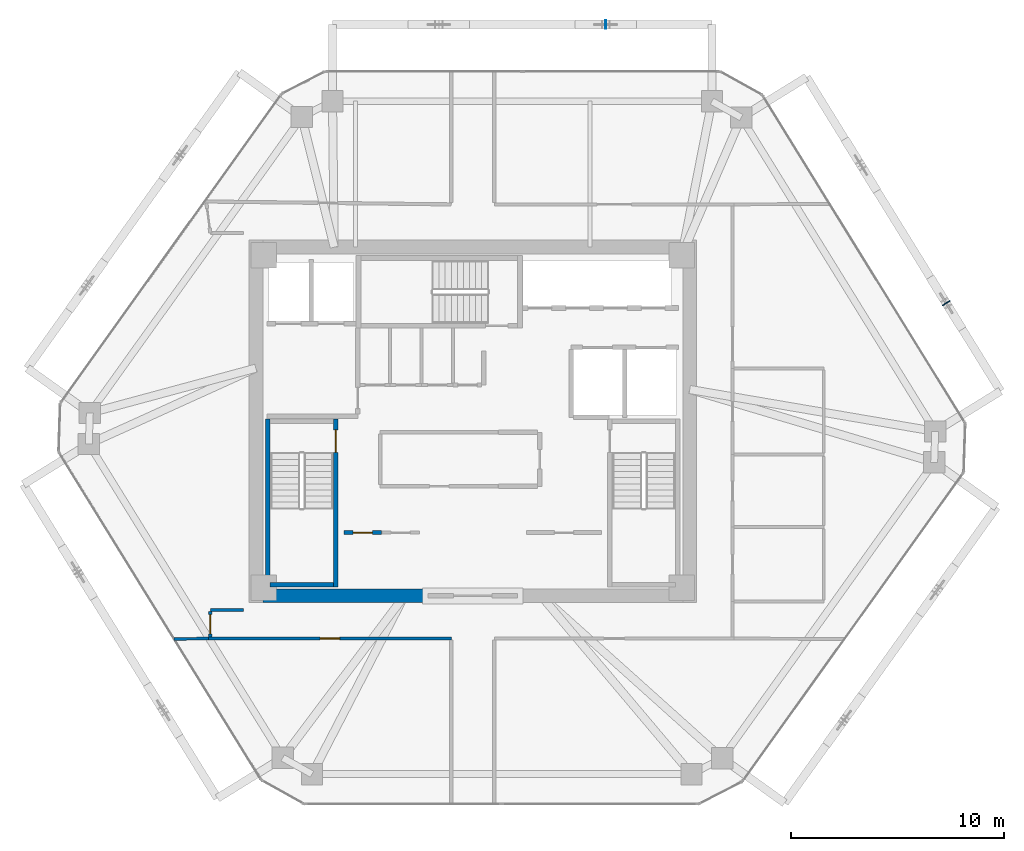
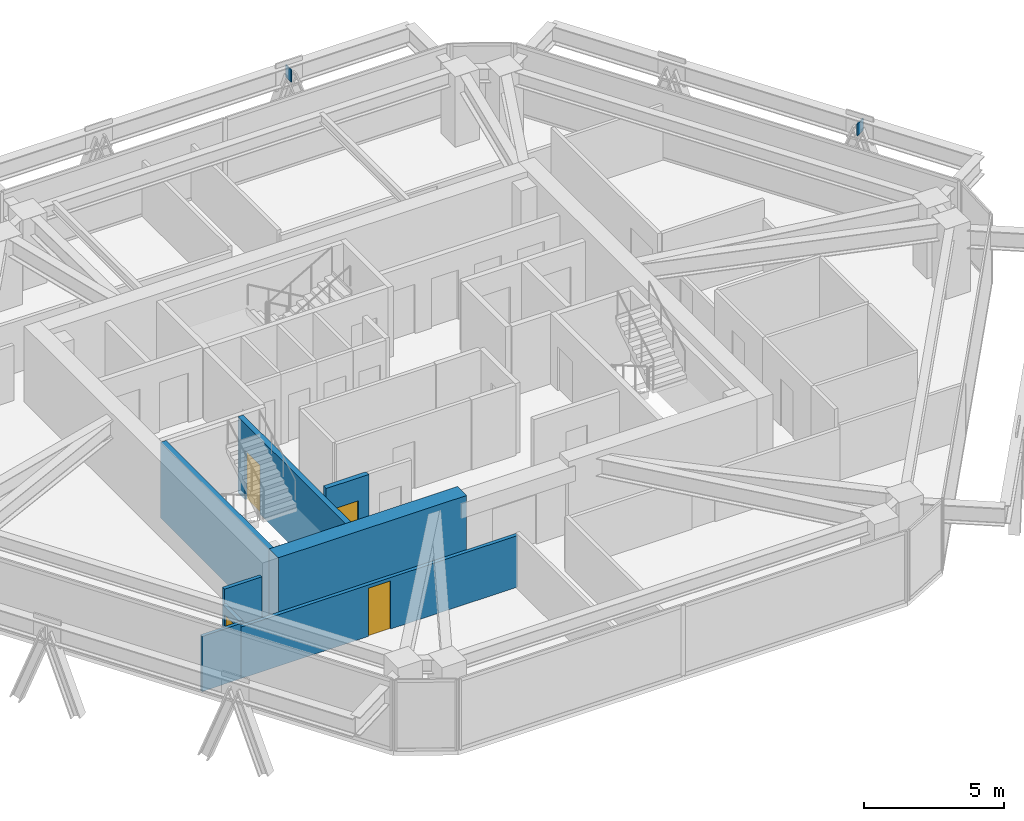
# One storey, part 9 of 13: 9 walls, 4 doors, 2 plates, 4 openings.
"""IFC4 building model written with IfcOpenShell, lengths in metres."""

import ifcopenshell
import ifcopenshell.guid

model = None  # the IFC model being written
_history = None  # IfcOwnerHistory: only IFC2X3 demands one
_inside = {}  # id of a spatial element -> (the spatial element, [elements in it])
_under = {}  # id of a project, library or spatial element -> (it, [spatial elements below it])
_declared = {}  # id of a project -> (the project, [libraries it declares])
_typed = {}  # id of a type object -> (the type object, [elements of that type])
_made_of = {}  # id of a material, layer set ... -> (it, [elements and type objects made of it])


def new_model(schema):
    """Start an empty IFC model of exactly this schema.

    Asked for "IFC4X3", IfcOpenShell would pick the latest addendum, in which some entities
    have other attributes; the version numbers below select the first issue.
    IFC2X3 requires an IfcOwnerHistory on every rooted entity: one is made here for all.
    """
    global model, _history
    if schema == "IFC4X3":
        model = ifcopenshell.file(schema_version=(4, 3, 0, 0))
    else:
        model = ifcopenshell.file(schema=schema)
    _inside.clear()
    _under.clear()
    _declared.clear()
    _typed.clear()
    _made_of.clear()
    _history = None
    if model.schema == "IFC2X3":
        org = make("IfcOrganization", Name="unknown")
        user = make(
            "IfcPersonAndOrganization",
            ThePerson=make("IfcPerson", FamilyName="unknown"),
            TheOrganization=org,
        )
        app = make(
            "IfcApplication",
            ApplicationDeveloper=org,
            Version="unknown",
            ApplicationFullName="unknown",
            ApplicationIdentifier="unknown",
        )
        _history = make(
            "IfcOwnerHistory",
            OwningUser=user,
            OwningApplication=app,
            ChangeAction="ADDED",
            CreationDate=0,
        )
    return model


def make(cls, **values):
    """One entity of the class cls with the attributes given. An attribute that is None is left unset."""
    return model.create_entity(
        cls, **{name: value for name, value in values.items() if value is not None}
    )


def rooted(cls, **values):
    """An entity with a GlobalId (a new one), such as an element, a storey or a relation."""
    return make(cls, GlobalId=ifcopenshell.guid.new(), OwnerHistory=_history, **values)


def si_unit(unit_type, name, prefix=None):
    """IfcSIUnit, for example si_unit("LENGTHUNIT", "METRE", prefix="MILLI")."""
    return make("IfcSIUnit", UnitType=unit_type, Prefix=prefix, Name=name)


def assignment(units):
    """IfcUnitAssignment: the units of a project."""
    return None if units is None else make("IfcUnitAssignment", Units=units)


def point(xyz):
    """IfcCartesianPoint."""
    return None if xyz is None else make("IfcCartesianPoint", Coordinates=xyz)


def direction(xyz):
    """IfcDirection."""
    return None if xyz is None else make("IfcDirection", DirectionRatios=xyz)


def frame(location, z_axis=None, x_axis=None):
    """IfcAxis2Placement3D, a coordinate frame: its origin and axes. An axis left out is left unset."""
    return make(
        "IfcAxis2Placement3D",
        Location=point(location),
        Axis=direction(z_axis),
        RefDirection=direction(x_axis),
    )


def frame_2d(location, x_axis=None):
    """IfcAxis2Placement2D, a coordinate frame in the plane: its origin and x axis."""
    return make(
        "IfcAxis2Placement2D", Location=point(location), RefDirection=direction(x_axis)
    )


def origin():
    """The frame at (0, 0, 0) with its axes left unset."""
    return frame((0.0, 0.0, 0.0))


def origin_2d():
    """The frame at (0, 0) in the plane with its x axis left unset."""
    return frame_2d((0.0, 0.0))


def place(relative_to, where):
    """IfcLocalPlacement: puts the frame where relative to a parent placement (None: the world)."""
    return make(
        "IfcLocalPlacement", PlacementRelTo=relative_to, RelativePlacement=where
    )


def context(
    kind, dimensions, precision=None, world=None, true_north=None, identifier=None
):
    """IfcGeometricRepresentationContext, for example the 3D "Model" context."""
    return make(
        "IfcGeometricRepresentationContext",
        ContextIdentifier=identifier,
        ContextType=kind,
        CoordinateSpaceDimension=dimensions,
        Precision=precision,
        WorldCoordinateSystem=world,
        TrueNorth=true_north,
    )


def subcontext(parent, identifier, kind, view, scale=None):
    """IfcGeometricRepresentationSubContext, for example "Body" below "Model"."""
    return make(
        "IfcGeometricRepresentationSubContext",
        ContextIdentifier=identifier,
        ContextType=kind,
        ParentContext=parent,
        TargetScale=scale,
        TargetView=view,
    )


def project(units=None, contexts=None):
    """IfcProject with its units and contexts."""
    return rooted(
        "IfcProject",
        Name="project",
        RepresentationContexts=contexts,
        UnitsInContext=assignment(units),
    )


def spatial(cls, under=None, at=None, **own):
    """A site, building, storey or space (cls), placed at a placement, below another one or the project."""
    s = rooted(cls, ObjectPlacement=at, **own)
    if under is not None:
        _under.setdefault(under.id(), (under, []))[1].append(s)
    return s


def profile(cls, at=None, kind="AREA", **sizes):
    """A parametric profile (cls). Its sizes go by their IFC names, for example OverallWidth=200.0."""
    return make(cls, ProfileType=kind, Position=at, **sizes)


def rectangle(**sizes):
    """IfcRectangleProfileDef."""
    return profile("IfcRectangleProfileDef", **sizes)


def extrude(swept, where, along, depth):
    """IfcExtrudedAreaSolid: the profile swept, set in the frame where, extruded along a direction by depth."""
    return make(
        "IfcExtrudedAreaSolid",
        SweptArea=swept,
        Position=where,
        ExtrudedDirection=direction(along),
        Depth=depth,
    )


def shape(context_of_items, identifier, shape_type, items):
    """IfcShapeRepresentation: the items that make up one representation, for example the "Body"."""
    return make(
        "IfcShapeRepresentation",
        ContextOfItems=context_of_items,
        RepresentationIdentifier=identifier,
        RepresentationType=shape_type,
        Items=items,
    )


def source(mapping_origin, context_of_items, identifier, shape_type, items):
    """IfcRepresentationMap: a shape defined once, which mapped items show again and again."""
    return make(
        "IfcRepresentationMap",
        MappingOrigin=mapping_origin,
        MappedRepresentation=shape(context_of_items, identifier, shape_type, items),
    )


def transform(
    local_origin,
    x_axis=None,
    y_axis=None,
    z_axis=None,
    scale=None,
    scale2=None,
    scale3=None,
    uniform=True,
):
    """IfcCartesianTransformationOperator3D, or its non-uniform kind. x_axis, y_axis, z_axis: its Axis1, 2, 3."""
    if uniform:
        return make(
            "IfcCartesianTransformationOperator3D",
            Axis1=direction(x_axis),
            Axis2=direction(y_axis),
            LocalOrigin=point(local_origin),
            Scale=scale,
            Axis3=direction(z_axis),
        )
    return make(
        "IfcCartesianTransformationOperator3DnonUniform",
        Axis1=direction(x_axis),
        Axis2=direction(y_axis),
        LocalOrigin=point(local_origin),
        Scale=scale,
        Axis3=direction(z_axis),
        Scale2=scale2,
        Scale3=scale3,
    )


def mapped(mapping_source, mapping_target):
    """IfcMappedItem: shows the shape of a source again, moved by a transform."""
    return make(
        "IfcMappedItem", MappingSource=mapping_source, MappingTarget=mapping_target
    )


def material(Name=None, Category=None):
    """IfcMaterial."""
    return make("IfcMaterial", Name=Name, Category=Category)


def layer(
    of_material, thickness, ventilated=None, Name=None, Category=None, Priority=None
):
    """IfcMaterialLayer: one layer of a wall or slab, of a material (None: an air gap)."""
    return make(
        "IfcMaterialLayer",
        Material=of_material,
        LayerThickness=thickness,
        IsVentilated=ventilated,
        Name=Name,
        Category=Category,
        Priority=Priority,
    )


def layer_set(layers, Name=None):
    """IfcMaterialLayerSet."""
    return make("IfcMaterialLayerSet", MaterialLayers=layers, LayerSetName=Name)


def made_of(thing, what):
    """Note that an element or type object is made of a material, layer set ...; save() writes the relation."""
    if what is not None:
        _made_of.setdefault(what.id(), (what, []))[1].append(thing)
    return thing


def type_object(cls, material=None, **own):
    """A type object (cls), such as IfcWallType, which elements share."""
    return made_of(rooted(cls, **own), material)


def type_shapes(of_type, sources):
    """Give a type object the sources (RepresentationMaps) that its elements show as mapped items."""
    of_type.RepresentationMaps = sources


def element(
    cls,
    number,
    at=None,
    inside=None,
    cuts=None,
    type_object=None,
    material=None,
    context=None,
    identifier="Body",
    shape_type=None,
    held_by="IfcProductDefinitionShape",
    body=None,
    shapes=None,
    **own,
):
    """One element of the class cls, such as IfcWall. Its Tag is "e" and its number.

    at: its placement. inside: the storey or other place that contains it. cuts: it is an
    opening in that element (IfcRelVoidsElement). A single representation is given by context,
    identifier, shape_type and body (its items); several are given by shapes. held_by: the class
    of the entity that holds the representations. save() writes the other relations.
    """
    e = rooted(cls, Tag="e%d" % number, ObjectPlacement=at, **own)
    if body is not None:
        shapes = [shape(context, identifier, shape_type, body)]
    if shapes is not None:
        e.Representation = make(held_by, Representations=shapes)
    if inside is not None:
        _inside.setdefault(inside.id(), (inside, []))[1].append(e)
    if cuts is not None:
        rooted(
            "IfcRelVoidsElement", RelatingBuildingElement=cuts, RelatedOpeningElement=e
        )
    if type_object is not None:
        _typed.setdefault(type_object.id(), (type_object, []))[1].append(e)
    return made_of(e, material)


def fill(opening, filler):
    """IfcRelFillsElement: the door or window that sits in an opening."""
    return rooted(
        "IfcRelFillsElement",
        RelatingOpeningElement=opening,
        RelatedBuildingElement=filler,
    )


def aggregate(whole, parts):
    """IfcRelAggregates: a whole, such as a stair, and the parts it consists of."""
    return rooted("IfcRelAggregates", RelatingObject=whole, RelatedObjects=parts)


def save(model, path):
    """Write the relations noted so far, then the file.

    IfcRelAggregates (storeys below a building ...), IfcRelContainedInSpatialStructure (elements
    in a storey), IfcRelDefinesByType, IfcRelAssociatesMaterial and IfcRelDeclares: one each for
    every whole, place, type object, material and project.
    """
    for whole, parts in _under.values():
        aggregate(whole, parts)
    for where, things in _inside.values():
        rooted(
            "IfcRelContainedInSpatialStructure",
            RelatedElements=things,
            RelatingStructure=where,
        )
    for kind, things in _typed.values():
        rooted("IfcRelDefinesByType", RelatedObjects=things, RelatingType=kind)
    for what, things in _made_of.values():
        rooted("IfcRelAssociatesMaterial", RelatedObjects=things, RelatingMaterial=what)
    for by, libraries in _declared.values():
        rooted("IfcRelDeclares", RelatingContext=by, RelatedDefinitions=libraries)
    model.write(path)


model = new_model("IFC4")

# Units and contexts
model_context = context("Model", 3, precision=1e-05, world=origin(), true_north=direction((0.0, 1.0)))
body_context = subcontext(model_context, "Body", "Model", "MODEL_VIEW")
ifc_project = project(units=[si_unit("LENGTHUNIT", "METRE"), si_unit("AREAUNIT", "SQUARE_METRE"), si_unit("VOLUMEUNIT", "CUBIC_METRE"), si_unit("PLANEANGLEUNIT", "RADIAN"), si_unit("MASSUNIT", "GRAM", prefix="KILO")], contexts=[model_context])

# Site, building, storey
site_placement = place(None, origin())
site = spatial("IfcSite", under=ifc_project, at=site_placement, CompositionType="ELEMENT")
building_placement = place(site_placement, origin())
building = spatial("IfcBuilding", under=site, at=building_placement, Name="Durnholm Broadcast Tower", CompositionType="ELEMENT")
storey_placement = place(building_placement, frame((0.0, 0.0, 167.199951171875)))
storey = spatial("IfcBuildingStorey", under=building, at=storey_placement, Name="L45", CompositionType="ELEMENT", Elevation=167.199951171875)

# Plates
ifc_material_1 = material(Name="Steel ASTM A572 Grade 50", Category="steel")
ifc_layer_1 = layer(ifc_material_1, 0.044921875)
ifc_layer_set_1 = layer_set([ifc_layer_1], Name="Steel ASTM A572 Grade 50")
plate_type = type_object("IfcPlateType", Name="PLT-KN-STIF", PredefinedType="SHEET", material=ifc_layer_set_1)
shared_shape_1 = source(origin(), body_context, "Body", "SweptSolid", [
    extrude(rectangle(XDim=0.044921875, YDim=0.419921875, at=origin_2d()), origin(), (0.0, 0.0, 1.0), 0.52001953125),
])
type_shapes(plate_type, [shared_shape_1])
for number, where, z_axis, x_axis, name in (
    (1, (22.202392578125, 5.546875, 2.048583984375), (0.0, 0.0, 1.0), (-0.525768608156, 0.850627633385, 0.0), "L45 welded diagrid node stiffener plate F3"),
    (2, (6.234619140625, 18.617919921875, 2.048583984375), (0.0, 0.0, 1.0), (-1.0, 0.0, 0.0), "L45 welded diagrid node stiffener plate F4"),
):
    element("IfcPlate", number, at=place(storey_placement, frame(where, z_axis=z_axis, x_axis=x_axis)), inside=storey, type_object=plate_type, Name=name, PredefinedType="SHEET", context=body_context, shape_type="MappedRepresentation", body=[
        mapped(shared_shape_1, transform((0.0, 0.0, 0.0), x_axis=(1.0, 0.0, 0.0), y_axis=(0.0, 1.0, 0.0), z_axis=(0.0, 0.0, 1.0), scale=1.0)),
    ])

# Wall
ifc_material_2 = material(Name="Concrete C70/85", Category="concrete")
ifc_layer_2 = layer(ifc_material_2, 0.64990234375)
ifc_layer_set_2 = layer_set([ifc_layer_2], Name="Concrete C70/85")
wall_type_1 = type_object("IfcWallType", Name="WALL-CW-650", PredefinedType="SHEAR", material=ifc_layer_set_2)
wall_1_placement = place(storey_placement, frame((-9.85009765625, -8.175048828125, 0.0), z_axis=(0.0, 0.0, 1.0), x_axis=(1.0, 0.0, 0.0)))
element("IfcWall", 3, at=wall_1_placement, inside=storey, type_object=wall_type_1, Name="L45 central core shear wall CW-S1", PredefinedType="SHEAR", context=body_context, shape_type="SweptSolid", body=[
    extrude(rectangle(XDim=7.75, YDim=0.64990234375, at=frame_2d((3.875, 0.0))), origin(), (0.0, 0.0, 1.0), 3.300048828125),
])

# Wall, opening, door
ifc_material_3 = material(Name="Fire-Rated Gypsum Shaftwall", Category="concrete")
ifc_layer_3 = layer(ifc_material_3, 0.199951171875)
ifc_layer_set_3 = layer_set([ifc_layer_3], Name="Fire-Rated Gypsum Shaftwall")
wall_type_2 = type_object("IfcWallType", Name="WALL-LOB-200", PredefinedType="SOLIDWALL", material=ifc_layer_set_3)
wall_2_placement = place(storey_placement, frame((-6.0400390625, -5.2099609375, 0.0), z_axis=(0.0, 0.0, 1.0), x_axis=(1.0, 0.0, 0.0)))
wall_2 = element("IfcWall", 4, at=wall_2_placement, inside=storey, type_object=wall_type_2, Name="L45 Media Fiber Patch Room corridor partition", PredefinedType="SOLIDWALL", context=body_context, shape_type="SweptSolid", body=[
    extrude(rectangle(XDim=1.760009765625, YDim=0.199951171875, at=frame_2d((0.8798828125, 0.0))), origin(), (0.0, 0.0, 1.0), 3.045166015625),
])
opening_1_placement = place(wall_2_placement, frame((0.429931640625, 0.0, 0.0)))
opening_1 = element("IfcOpeningElement", 5, at=opening_1_placement, cuts=wall_2, Name="Opening DC-60L", PredefinedType="OPENING", context=body_context, shape_type="SweptSolid", body=[
    extrude(rectangle(XDim=0.89990234375, YDim=2.050048828125, at=frame_2d((0.449951171875, 1.02490234375))), frame((0.0, 0.10986328125, 0.0), z_axis=(0.0, -1.0, 0.0), x_axis=(1.0, 0.0, 0.0)), (0.0, 0.0, 1.0), 0.219970703125),
])
ifc_material_4 = material(Name="Fire-Rated Core Service Door", Category="steel")
ifc_layer_4 = layer(ifc_material_4, 0.050048828125)
ifc_layer_set_4 = layer_set([ifc_layer_4], Name="Fire-Rated Core Service Door")
door_type_1 = type_object("IfcDoorType", Name="DOOR-CORE-FD60-L", OperationType="NOTDEFINED", PredefinedType="DOOR", material=ifc_layer_set_4)
shared_shape_2 = source(origin(), body_context, "Body", "SweptSolid", [
    extrude(rectangle(XDim=0.89990234375, YDim=2.050048828125, at=frame_2d((0.449951171875, 1.02490234375))), frame((0.0, 0.02490234375, 0.0), z_axis=(0.0, -1.0, 0.0), x_axis=(1.0, 0.0, 0.0)), (0.0, 0.0, 1.0), 0.050048828125),
])
type_shapes(door_type_1, [shared_shape_2])
door_1_placement = place(opening_1_placement, origin())
door_1 = element("IfcDoor", 6, at=door_1_placement, inside=storey, type_object=door_type_1, Name="L45 Media Fiber Patch Room entrance door", OperationType="SINGLE_SWING_LEFT", OverallHeight=2.050048828125, OverallWidth=0.89990234375, PredefinedType="DOOR", context=body_context, shape_type="MappedRepresentation", body=[
    mapped(shared_shape_2, transform((0.0, 0.0, 0.0), x_axis=(1.0, 0.0, 0.0), y_axis=(0.0, 1.0, 0.0), z_axis=(0.0, 0.0, 1.0), scale=1.0)),
])
fill(opening_1, door_1)

# Wall
ifc_material_5 = material(Name="Gypsum Metal Stud Partition", Category="concrete")
ifc_layer_5 = layer(ifc_material_5, 0.135009765625)
ifc_layer_set_5 = layer_set([ifc_layer_5], Name="Gypsum Metal Stud Partition")
wall_type_3 = type_object("IfcWallType", Name="WALL-PART-135", PredefinedType="PARTITIONING", material=ifc_layer_set_5)
wall_3_placement = place(storey_placement, frame((-14.00390625, -10.200927734375, 0.0), z_axis=(0.0, 0.0, 1.0), x_axis=(0.999923084603, 0.012402615782, 0.0)))
element("IfcWall", 7, at=wall_3_placement, inside=storey, type_object=wall_type_3, Name="L45 room dividing partition 15.17", PredefinedType="PARTITIONING", context=body_context, shape_type="SweptSolid", body=[
    extrude(rectangle(XDim=1.6142578125, YDim=0.135009765625, at=frame_2d((0.80712890625, 0.0))), origin(), (0.0, 0.0, 1.0), 2.39892578125),
])

# Wall, opening, door
ifc_material_6 = material(Name="Acoustic Gypsum Stud Partition", Category="concrete")
ifc_layer_6 = layer(ifc_material_6, 0.14990234375)
ifc_layer_set_6 = layer_set([ifc_layer_6], Name="Acoustic Gypsum Stud Partition")
wall_type_4 = type_object("IfcWallType", Name="WALL-PART-150", PredefinedType="PARTITIONING", material=ifc_layer_set_6)
wall_4_placement = place(storey_placement, frame((-12.389892578125, -10.179931640625, 0.0), z_axis=(0.0, 0.0, 1.0), x_axis=(1.0, 0.0, 0.0)))
wall_4 = element("IfcWall", 8, at=wall_4_placement, inside=storey, type_object=wall_type_4, Name="L45 Research Commons Lounge corridor partition", PredefinedType="PARTITIONING", context=body_context, shape_type="SweptSolid", body=[
    extrude(rectangle(XDim=11.3798828125, YDim=0.14990234375, at=frame_2d((5.68994140625, 0.0))), origin(), (0.0, 0.0, 1.0), 2.241943359375),
])
opening_2_placement = place(wall_4_placement, frame((5.22998046875, 0.0, 0.0)))
opening_2 = element("IfcOpeningElement", 9, at=opening_2_placement, cuts=wall_4, Name="Opening DR-92L", PredefinedType="OPENING", context=body_context, shape_type="SweptSolid", body=[
    extrude(rectangle(XDim=0.919921875, YDim=2.10009765625, at=frame_2d((0.4599609375, 1.050048828125))), frame((0.0, 0.0849609375, 0.0), z_axis=(0.0, -1.0, 0.0), x_axis=(1.0, 0.0, 0.0)), (0.0, 0.0, 1.0), 0.169921875),
])
ifc_material_7 = material(Name="Oak Veneer Office Door", Category="wood")
ifc_layer_7 = layer(ifc_material_7, 0.050048828125)
ifc_layer_set_7 = layer_set([ifc_layer_7], Name="Oak Veneer Office Door")
door_type_2 = type_object("IfcDoorType", Name="DOOR-RM-920L", OperationType="NOTDEFINED", PredefinedType="DOOR", material=ifc_layer_set_7)
shared_shape_3 = source(origin(), body_context, "Body", "SweptSolid", [
    extrude(rectangle(XDim=0.919921875, YDim=2.10009765625, at=frame_2d((0.4599609375, 1.050048828125))), frame((0.0, 0.02490234375, 0.0), z_axis=(0.0, -1.0, 0.0), x_axis=(1.0, 0.0, 0.0)), (0.0, 0.0, 1.0), 0.050048828125),
])
type_shapes(door_type_2, [shared_shape_3])
door_2_placement = place(opening_2_placement, origin())
door_2 = element("IfcDoor", 10, at=door_2_placement, inside=storey, type_object=door_type_2, Name="L45 Research Commons Lounge entrance door", OperationType="SINGLE_SWING_LEFT", OverallHeight=2.10009765625, OverallWidth=0.919921875, PredefinedType="DOOR", context=body_context, shape_type="MappedRepresentation", body=[
    mapped(shared_shape_3, transform((0.0, 0.0, 0.0), x_axis=(1.0, 0.0, 0.0), y_axis=(0.0, 1.0, 0.0), z_axis=(0.0, 0.0, 1.0), scale=1.0)),
])
fill(opening_2, door_2)

# Wall
wall_5_placement = place(storey_placement, frame((-10.760009765625, -8.840087890625, 0.0), z_axis=(0.0, 0.0, 1.0), x_axis=(-1.0, 0.0, 0.0)))
element("IfcWall", 11, at=wall_5_placement, inside=storey, type_object=wall_type_4, Name="L45 Technical Dining Room corridor partition", PredefinedType="PARTITIONING", context=body_context, shape_type="SweptSolid", body=[
    extrude(rectangle(XDim=1.550048828125, YDim=0.14990234375, at=frame_2d((0.77490234375, 0.0))), origin(), (0.0, 0.0, 1.0), 3.045166015625),
])

# Wall, opening, door
wall_6_placement = place(storey_placement, frame((-12.31005859375, -8.9189453125, 0.0), z_axis=(0.0, 0.0, 1.0), x_axis=(0.0, -1.0, 0.0)))
wall_6 = element("IfcWall", 12, at=wall_6_placement, inside=storey, type_object=wall_type_4, Name="L45 Technical Dining Room corridor partition", PredefinedType="PARTITIONING", context=body_context, shape_type="SweptSolid", body=[
    extrude(rectangle(XDim=1.18212890625, YDim=0.14990234375, at=frame_2d((0.591064453125, 0.0))), origin(), (0.0, 0.0, 1.0), 2.39892578125),
])
opening_3_placement = place(wall_6_placement, frame((0.14111328125, 0.0, 0.0)))
opening_3 = element("IfcOpeningElement", 13, at=opening_3_placement, cuts=wall_6, Name="Opening DW-90R", PredefinedType="OPENING", context=body_context, shape_type="SweptSolid", body=[
    extrude(rectangle(XDim=0.89990234375, YDim=2.050048828125, at=frame_2d((0.449951171875, 1.02490234375))), frame((0.0, 0.0849609375, 0.0), z_axis=(0.0, -1.0, 0.0), x_axis=(1.0, 0.0, 0.0)), (0.0, 0.0, 1.0), 0.169921875),
])
ifc_material_8 = material(Name="Laminate Restroom Door", Category="steel")
ifc_layer_8 = layer(ifc_material_8, 0.050048828125)
ifc_layer_set_8 = layer_set([ifc_layer_8], Name="Laminate Restroom Door")
door_type_3 = type_object("IfcDoorType", Name="DOOR-WC-900R", OperationType="NOTDEFINED", PredefinedType="DOOR", material=ifc_layer_set_8)
shared_shape_4 = source(origin(), body_context, "Body", "SweptSolid", [
    extrude(rectangle(XDim=0.89990234375, YDim=2.050048828125, at=frame_2d((0.449951171875, 1.02490234375))), frame((0.0, 0.02490234375, 0.0), z_axis=(0.0, -1.0, 0.0), x_axis=(1.0, 0.0, 0.0)), (0.0, 0.0, 1.0), 0.050048828125),
])
type_shapes(door_type_3, [shared_shape_4])
door_3_placement = place(opening_3_placement, origin())
door_3 = element("IfcDoor", 14, at=door_3_placement, inside=storey, type_object=door_type_3, Name="L45 Technical Dining Room entrance door", OperationType="SINGLE_SWING_RIGHT", OverallHeight=2.050048828125, OverallWidth=0.89990234375, PredefinedType="DOOR", context=body_context, shape_type="MappedRepresentation", body=[
    mapped(shared_shape_4, transform((0.0, 0.0, 0.0), x_axis=(1.0, 0.0, 0.0), y_axis=(0.0, 1.0, 0.0), z_axis=(0.0, 0.0, 1.0), scale=1.0)),
])
fill(opening_3, door_3)

ifc_material_9 = material(Name="Concrete C50/60", Category="concrete")
ifc_layer_9 = layer(ifc_material_9, 0.219970703125)
ifc_layer_set_9 = layer_set([ifc_layer_9], Name="Concrete C50/60")
wall_type_5 = type_object("IfcWallType", Name="WALL-SW-220", PredefinedType="SHEAR", material=ifc_layer_set_9)
wall_7_placement = place(storey_placement, frame((-6.429931640625, -7.77001953125, -0.239990234375), z_axis=(0.0, 0.0, 1.0), x_axis=(0.0, 1.0, 0.0)))
wall_7 = element("IfcWall", 15, at=wall_7_placement, inside=storey, type_object=wall_type_5, Name="L45 stair ST-1 structural shaft wall E", PredefinedType="SHEAR", context=body_context, shape_type="SweptSolid", body=[
    extrude(rectangle(XDim=7.89013671875, YDim=0.219970703125, at=frame_2d((3.945068359375, 0.0))), origin(), (0.0, 0.0, 1.0), 3.300048828125),
])
opening_4_placement = place(wall_7_placement, frame((6.320068359375, 0.0, 0.0)))
opening_4 = element("IfcOpeningElement", 16, at=opening_4_placement, cuts=wall_7, Name="Opening DS-90L", PredefinedType="OPENING", context=body_context, shape_type="SweptSolid", body=[
    extrude(rectangle(XDim=1.050048828125, YDim=2.14990234375, at=frame_2d((0.52490234375, 1.074951171875))), frame((0.0, 0.1201171875, 0.0), z_axis=(0.0, -1.0, 0.0), x_axis=(1.0, 0.0, 0.0)), (0.0, 0.0, 1.0), 0.239990234375),
])
ifc_material_10 = material(Name="Fire-Rated Steel Door", Category="steel")
ifc_layer_10 = layer(ifc_material_10, 0.050048828125)
ifc_layer_set_10 = layer_set([ifc_layer_10], Name="Fire-Rated Steel Door")
door_type_4 = type_object("IfcDoorType", Name="DOOR-ST-FD90-L", OperationType="NOTDEFINED", PredefinedType="DOOR", material=ifc_layer_set_10)
shared_shape_5 = source(origin(), body_context, "Body", "SweptSolid", [
    extrude(rectangle(XDim=1.050048828125, YDim=2.14990234375, at=frame_2d((0.52490234375, 1.074951171875))), frame((0.0, 0.02490234375, 0.0), z_axis=(0.0, -1.0, 0.0), x_axis=(1.0, 0.0, 0.0)), (0.0, 0.0, 1.0), 0.050048828125),
])
type_shapes(door_type_4, [shared_shape_5])
door_4_placement = place(opening_4_placement, origin())
door_4 = element("IfcDoor", 17, at=door_4_placement, inside=storey, type_object=door_type_4, Name="L45 exit stair ST-1 fire door", OperationType="SINGLE_SWING_LEFT", OverallHeight=2.14990234375, OverallWidth=1.050048828125, PredefinedType="DOOR", context=body_context, shape_type="MappedRepresentation", body=[
    mapped(shared_shape_5, transform((0.0, 0.0, 0.0), x_axis=(1.0, 0.0, 0.0), y_axis=(0.0, 1.0, 0.0), z_axis=(0.0, 0.0, 1.0), scale=1.0)),
])
fill(opening_4, door_4)

# Walls
wall_8_placement = place(storey_placement, frame((-9.610107421875, 0.1201171875, -0.239990234375), z_axis=(0.0, 0.0, 1.0), x_axis=(0.0, -1.0, 0.0)))
element("IfcWall", 18, at=wall_8_placement, inside=storey, type_object=wall_type_5, Name="L45 stair ST-1 structural shaft wall W", PredefinedType="SHEAR", context=body_context, shape_type="SweptSolid", body=[
    extrude(rectangle(XDim=7.89013671875, YDim=0.219970703125, at=frame_2d((3.945068359375, 0.0))), origin(), (0.0, 0.0, 1.0), 3.300048828125),
])
wall_9_placement = place(storey_placement, frame((-9.5, -7.659912109375, -0.239990234375), z_axis=(0.0, 0.0, 1.0), x_axis=(1.0, 0.0, 0.0)))
element("IfcWall", 19, at=wall_9_placement, inside=storey, type_object=wall_type_5, Name="L45 stair ST-1 structural shaft wall S", PredefinedType="SHEAR", context=body_context, shape_type="SweptSolid", body=[
    extrude(rectangle(XDim=2.9599609375, YDim=0.219970703125, at=frame_2d((1.47998046875, 0.0))), origin(), (0.0, 0.0, 1.0), 3.300048828125),
])

save(model, "model.ifc")
